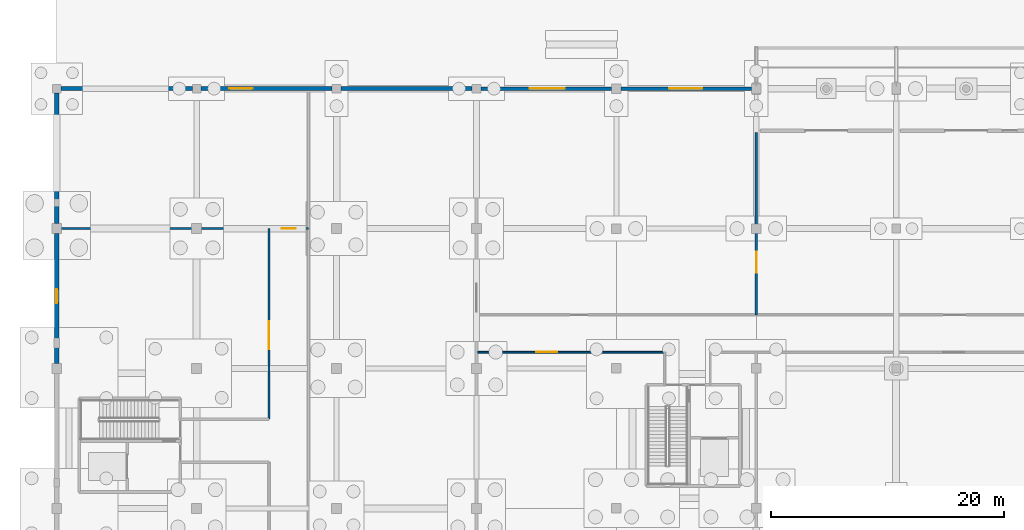
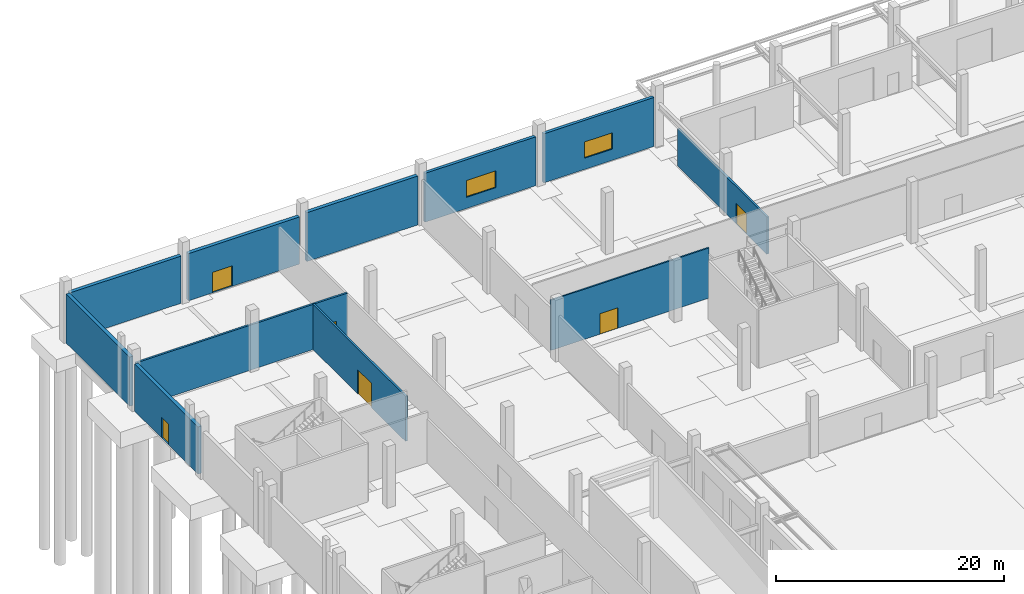
# One storey, part 94 of 117: 11 walls, 6 doors, 2 windows, 8 openings.
"""IFC4 building model written with IfcOpenShell, lengths in metres."""

from ifc_helpers import new_model, si_unit, direction, frame, frame_2d, origin, place, context, subcontext, project, spatial, rectangle, extrude, material, layer, layer_set, type_object, element, fill, save


model = new_model("IFC4")

# Units and contexts
model_context = context("Model", 3, precision=1e-05, world=origin(), true_north=direction((0.0, 1.0)))
body_context = subcontext(model_context, "Body", "Model", "MODEL_VIEW")
ifc_project = project(units=[si_unit("LENGTHUNIT", "METRE"), si_unit("AREAUNIT", "SQUARE_METRE"), si_unit("VOLUMEUNIT", "CUBIC_METRE"), si_unit("PLANEANGLEUNIT", "RADIAN"), si_unit("MASSUNIT", "GRAM", prefix="KILO")], contexts=[model_context])

# Site, building, storey
site_placement = place(None, origin())
site = spatial("IfcSite", under=ifc_project, at=site_placement, CompositionType="ELEMENT")
building_placement = place(site_placement, origin())
building = spatial("IfcBuilding", under=site, at=building_placement, Name="Kamomehara Wholesale Market", CompositionType="ELEMENT")
storey_placement = place(building_placement, origin())
storey = spatial("IfcBuildingStorey", under=building, at=storey_placement, Name="L00", CompositionType="ELEMENT", Elevation=0.0)

# Wall, opening, door
ifc_material_1 = material(Name="Polyurethane insulated metal panel")
ifc_layer_1 = layer(ifc_material_1, 0.360107421875)
ifc_layer_set_1 = layer_set([ifc_layer_1], Name="Polyurethane insulated metal panel")
wall_type_1 = type_object("IfcWallType", Name="EW-CLD-360", PredefinedType="SOLIDWALL", material=ifc_layer_set_1)
wall_1_placement = place(storey_placement, frame((0.0, 132.425048828125, 0.0), z_axis=(0.0, 0.0, 1.0), x_axis=(0.0, 1.0, 0.0)))
wall_1 = element("IfcWall", 1, at=wall_1_placement, inside=storey, type_object=wall_type_1, Name="Exterior wall EW-CLD-360 9", PredefinedType="SOLIDWALL", context=body_context, shape_type="SweptSolid", body=[
    extrude(rectangle(XDim=11.14990234375, YDim=0.360107421875, at=frame_2d((5.574951171875, 0.0))), origin(), (0.0, 0.0, 1.0), 5.048095703125),
])
opening_1_placement = place(wall_1_placement, frame((5.175048828125, 0.0, 0.0)))
opening_1 = element("IfcOpeningElement", 2, at=opening_1_placement, cuts=wall_1, Name="Opening ED-L00-02", PredefinedType="OPENING", context=body_context, shape_type="SweptSolid", body=[
    extrude(rectangle(XDim=1.199951171875, YDim=2.199951171875, at=frame_2d((0.60009765625, 1.10009765625))), frame((0.0, 0.19482421875, 0.0), z_axis=(0.0, -1.0, 0.0), x_axis=(1.0, 0.0, 0.0)), (0.0, 0.0, 1.0), 0.389892578125),
])
ifc_material_2 = material(Name="Steel SN400B", Category="steel")
door_type_1 = type_object("IfcDoorType", Name="EDR-1200x2200", OperationType="NOTDEFINED", PredefinedType="DOOR", material=ifc_material_2)
door_1_placement = place(opening_1_placement, origin())
door_1 = element("IfcDoor", 3, at=door_1_placement, inside=storey, type_object=door_type_1, Name="Cold block exit door ED-L00-02", OperationType="SINGLE_SWING_LEFT", OverallHeight=2.199951171875, OverallWidth=1.199951171875, PredefinedType="DOOR", context=body_context, shape_type="SweptSolid", body=[
    extrude(rectangle(XDim=1.199951171875, YDim=2.199951171875, at=frame_2d((0.60009765625, 1.10009765625))), frame((0.0, 0.02490234375, 0.0), z_axis=(0.0, -1.0, 0.0), x_axis=(1.0, 0.0, 0.0)), (0.0, 0.0, 1.0), 0.050048828125),
])
fill(opening_1, door_1)

# Walls
wall_2_placement = place(storey_placement, frame((0.0, 144.425048828125, 0.0), z_axis=(0.0, 0.0, 1.0), x_axis=(0.0, 1.0, 0.0)))
element("IfcWall", 4, at=wall_2_placement, inside=storey, type_object=wall_type_1, Name="Exterior wall EW-CLD-360 10", PredefinedType="SOLIDWALL", context=body_context, shape_type="SweptSolid", body=[
    extrude(rectangle(XDim=11.199951171875, YDim=0.360107421875, at=frame_2d((5.60009765625, 0.0))), origin(), (0.0, 0.0, 1.0), 5.258056640625),
])
wall_3_placement = place(storey_placement, frame((0.375, 156.0, 0.0), z_axis=(0.0, 0.0, 1.0), x_axis=(1.0, 0.0, 0.0)))
element("IfcWall", 5, at=wall_3_placement, inside=storey, type_object=wall_type_1, Name="Exterior wall EW-CLD-360 11", PredefinedType="SOLIDWALL", context=body_context, shape_type="SweptSolid", body=[
    extrude(rectangle(XDim=11.25, YDim=0.360107421875, at=frame_2d((5.625, 0.0))), origin(), (0.0, 0.0, 1.0), 5.05810546875),
])

# Wall, opening, door
wall_4_placement = place(storey_placement, frame((12.375, 156.0, 0.0), z_axis=(0.0, 0.0, 1.0), x_axis=(1.0, 0.0, 0.0)))
wall_4 = element("IfcWall", 6, at=wall_4_placement, inside=storey, type_object=wall_type_1, Name="Exterior wall EW-CLD-360 13", PredefinedType="SOLIDWALL", context=body_context, shape_type="SweptSolid", body=[
    extrude(rectangle(XDim=11.25, YDim=0.360107421875, at=frame_2d((5.625, 0.0))), origin(), (0.0, 0.0, 1.0), 5.05810546875),
])
opening_2_placement = place(wall_4_placement, frame((2.425048828125, 0.0, 0.0)))
opening_2 = element("IfcOpeningElement", 7, at=opening_2_placement, cuts=wall_4, Name="Opening ED-L00-03", PredefinedType="OPENING", context=body_context, shape_type="SweptSolid", body=[
    extrude(rectangle(XDim=2.0, YDim=2.199951171875, at=frame_2d((1.0, 1.10009765625))), frame((0.0, 0.19482421875, 0.0), z_axis=(0.0, -1.0, 0.0), x_axis=(1.0, 0.0, 0.0)), (0.0, 0.0, 1.0), 0.389892578125),
])
ifc_material_3 = material(Name="Anodised aluminium 6063-T5", Category="aluminium")
door_type_2 = type_object("IfcDoorType", Name="EDR-2000x2200", OperationType="NOTDEFINED", PredefinedType="DOOR", material=ifc_material_3)
door_2_placement = place(opening_2_placement, origin())
door_2 = element("IfcDoor", 8, at=door_2_placement, inside=storey, type_object=door_type_2, Name="Plant exit door ED-L00-03", OperationType="SINGLE_SWING_RIGHT", OverallHeight=2.199951171875, OverallWidth=2.0, PredefinedType="DOOR", context=body_context, shape_type="SweptSolid", body=[
    extrude(rectangle(XDim=2.0, YDim=2.199951171875, at=frame_2d((1.0, 1.10009765625))), frame((0.0, 0.02490234375, 0.0), z_axis=(0.0, -1.0, 0.0), x_axis=(1.0, 0.0, 0.0)), (0.0, 0.0, 1.0), 0.050048828125),
])
fill(opening_2, door_2)

# Wall
wall_5_placement = place(storey_placement, frame((24.375, 156.0, 0.0), z_axis=(0.0, 0.0, 1.0), x_axis=(1.0, 0.0, 0.0)))
element("IfcWall", 9, at=wall_5_placement, inside=storey, type_object=wall_type_1, Name="Exterior wall EW-CLD-360 15", PredefinedType="SOLIDWALL", context=body_context, shape_type="SweptSolid", body=[
    extrude(rectangle(XDim=11.25, YDim=0.360107421875, at=frame_2d((5.625, 0.0))), origin(), (0.0, 0.0, 1.0), 5.238037109375),
])

# Wall, opening, window
ifc_material_4 = material(Name="Precast concrete Fc45 (C40/50)", Category="concrete")
ifc_layer_2 = layer(ifc_material_4, 0.300048828125)
ifc_layer_set_2 = layer_set([ifc_layer_2], Name="Precast concrete Fc45 (C40/50)")
wall_type_2 = type_object("IfcWallType", Name="EW-PC-300", PredefinedType="SOLIDWALL", material=ifc_layer_set_2)
wall_6_placement = place(storey_placement, frame((36.375, 156.0, 0.0), z_axis=(0.0, 0.0, 1.0), x_axis=(1.0, 0.0, 0.0)))
wall_6 = element("IfcWall", 10, at=wall_6_placement, inside=storey, type_object=wall_type_2, Name="Exterior wall EW-PC-300 68", PredefinedType="SOLIDWALL", context=body_context, shape_type="SweptSolid", body=[
    extrude(rectangle(XDim=11.215087890625, YDim=0.300048828125, at=frame_2d((5.607421875, 0.0))), origin(), (0.0, 0.0, 1.0), 5.238037109375),
])
opening_3_placement = place(wall_6_placement, frame((4.175048828125, 0.0, 1.199951171875)))
opening_3 = element("IfcOpeningElement", 11, at=opening_3_placement, cuts=wall_6, Name="Opening WN-L00-007", PredefinedType="OPENING", context=body_context, shape_type="SweptSolid", body=[
    extrude(rectangle(XDim=3.0, YDim=1.800048828125, at=frame_2d((1.5, 0.89990234375))), frame((0.0, 0.1650390625, 0.0), z_axis=(0.0, -1.0, 0.0), x_axis=(1.0, 0.0, 0.0)), (0.0, 0.0, 1.0), 0.329833984375),
])
ifc_material_5 = material(Name="Solar-control Low-E double glazing", Category="glass")
window_type_1 = type_object("IfcWindowType", Name="WIN-3000x1800", PartitioningType="SINGLE_PANEL", PredefinedType="WINDOW", material=ifc_material_5)
window_1_placement = place(opening_3_placement, origin())
window_1 = element("IfcWindow", 12, at=window_1_placement, inside=storey, type_object=window_type_1, Name="Exterior window WN-L00-007", OverallHeight=1.800048828125, OverallWidth=3.0, PartitioningType="SINGLE_PANEL", PredefinedType="WINDOW", context=body_context, shape_type="SweptSolid", body=[
    extrude(rectangle(XDim=3.0, YDim=1.800048828125, at=frame_2d((1.5, 0.89990234375))), frame((0.0, 0.030029296875, 0.0), z_axis=(0.0, -1.0, 0.0), x_axis=(1.0, 0.0, 0.0)), (0.0, 0.0, 1.0), 0.06005859375),
])
fill(opening_3, window_1)

wall_7_placement = place(storey_placement, frame((48.409912109375, 156.0, 0.0), z_axis=(0.0, 0.0, 1.0), x_axis=(1.0, 0.0, 0.0)))
wall_7 = element("IfcWall", 13, at=wall_7_placement, inside=storey, type_object=wall_type_2, Name="Exterior wall EW-PC-300 69", PredefinedType="SOLIDWALL", context=body_context, shape_type="SweptSolid", body=[
    extrude(rectangle(XDim=11.18017578125, YDim=0.300048828125, at=frame_2d((5.590087890625, 0.0))), origin(), (0.0, 0.0, 1.0), 5.258056640625),
])
opening_4_placement = place(wall_7_placement, frame((4.139892578125, 0.0, 1.199951171875)))
opening_4 = element("IfcOpeningElement", 14, at=opening_4_placement, cuts=wall_7, Name="Opening WN-L00-008", PredefinedType="OPENING", context=body_context, shape_type="SweptSolid", body=[
    extrude(rectangle(XDim=2.800048828125, YDim=1.75, at=frame_2d((1.39990234375, 0.875))), frame((0.0, 0.1650390625, 0.0), z_axis=(0.0, -1.0, 0.0), x_axis=(1.0, 0.0, 0.0)), (0.0, 0.0, 1.0), 0.329833984375),
])
ifc_material_6 = material(Name="Solar-control Low-E double glazing", Category="glass")
window_type_2 = type_object("IfcWindowType", Name="WIN-2800x1750", PartitioningType="SINGLE_PANEL", PredefinedType="WINDOW", material=ifc_material_6)
window_2_placement = place(opening_4_placement, origin())
window_2 = element("IfcWindow", 15, at=window_2_placement, inside=storey, type_object=window_type_2, Name="Exterior window WN-L00-008", OverallHeight=1.75, OverallWidth=2.800048828125, PartitioningType="SINGLE_PANEL", PredefinedType="WINDOW", context=body_context, shape_type="SweptSolid", body=[
    extrude(rectangle(XDim=2.800048828125, YDim=1.75, at=frame_2d((1.39990234375, 0.875))), frame((0.0, 0.030029296875, 0.0), z_axis=(0.0, -1.0, 0.0), x_axis=(1.0, 0.0, 0.0)), (0.0, 0.0, 1.0), 0.06005859375),
])
fill(opening_4, window_2)

# Wall, opening, door
ifc_material_7 = material(Name="Gypsum board partition")
ifc_layer_3 = layer(ifc_material_7, 0.14990234375)
ifc_layer_set_3 = layer_set([ifc_layer_3], Name="Gypsum board partition")
wall_type_3 = type_object("IfcWallType", Name="IW-PRT-150", PredefinedType="PARTITIONING", material=ifc_layer_set_3)
wall_8_placement = place(storey_placement, frame((36.1201171875, 133.39990234375, 0.0), z_axis=(0.0, 0.0, 1.0), x_axis=(1.0, 0.0, 0.0)))
wall_8 = element("IfcWall", 16, at=wall_8_placement, inside=storey, type_object=wall_type_3, Name="Interior wall IW-PRT-150 196", PredefinedType="PARTITIONING", context=body_context, shape_type="SweptSolid", body=[
    extrude(rectangle(XDim=16.02978515625, YDim=0.14990234375, at=frame_2d((8.014892578125, 0.0))), origin(), (0.0, 0.0, 1.0), 5.383056640625),
])
opening_5_placement = place(wall_8_placement, frame((5.0, 0.0, 0.0)))
opening_5 = element("IfcOpeningElement", 17, at=opening_5_placement, cuts=wall_8, Name="Opening ID-L00-115", PredefinedType="OPENING", context=body_context, shape_type="SweptSolid", body=[
    extrude(rectangle(XDim=1.800048828125, YDim=2.199951171875, at=frame_2d((0.89990234375, 1.10009765625))), frame((0.0, 0.08984375, 0.0), z_axis=(0.0, -1.0, 0.0), x_axis=(1.0, 0.0, 0.0)), (0.0, 0.0, 1.0), 0.1796875),
])
ifc_material_8 = material(Name="Steel SN400B", Category="steel")
door_type_3 = type_object("IfcDoorType", Name="IDR-FD-1800x2200", OperationType="NOTDEFINED", PredefinedType="DOOR", material=ifc_material_8)
door_3_placement = place(opening_5_placement, origin())
door_3 = element("IfcDoor", 18, at=door_3_placement, inside=storey, type_object=door_type_3, Name="Interior door ID-L00-115", OperationType="SINGLE_SWING_LEFT", OverallHeight=2.199951171875, OverallWidth=1.800048828125, PredefinedType="DOOR", context=body_context, shape_type="SweptSolid", body=[
    extrude(rectangle(XDim=1.800048828125, YDim=2.199951171875, at=frame_2d((0.89990234375, 1.10009765625))), frame((0.0, 0.02490234375, 0.0), z_axis=(0.0, -1.0, 0.0), x_axis=(1.0, 0.0, 0.0)), (0.0, 0.0, 1.0), 0.050048828125),
])
fill(opening_5, door_3)

ifc_material_9 = material(Name="Gypsum board partition")
ifc_layer_4 = layer(ifc_material_9, 0.199951171875)
ifc_layer_set_4 = layer_set([ifc_layer_4], Name="Gypsum board partition")
wall_type_4 = type_object("IfcWallType", Name="IW-PRT-200", PredefinedType="PARTITIONING", material=ifc_layer_set_4)
wall_9_placement = place(storey_placement, frame((60.0, 136.60009765625, 0.0), z_axis=(0.0, 0.0, 1.0), x_axis=(0.0, 1.0, 0.0)))
wall_9 = element("IfcWall", 19, at=wall_9_placement, inside=storey, type_object=wall_type_4, Name="Interior wall IW-PRT-200 195", PredefinedType="PARTITIONING", context=body_context, shape_type="SweptSolid", body=[
    extrude(rectangle(XDim=15.64990234375, YDim=0.199951171875, at=frame_2d((7.824951171875, 0.0))), origin(), (0.0, 0.0, 1.0), 3.992919921875),
])
opening_6_placement = place(wall_9_placement, frame((3.60009765625, 0.0, 0.0)))
opening_6 = element("IfcOpeningElement", 20, at=opening_6_placement, cuts=wall_9, Name="Opening ID-L00-114", PredefinedType="OPENING", context=body_context, shape_type="SweptSolid", body=[
    extrude(rectangle(XDim=1.800048828125, YDim=2.199951171875, at=frame_2d((0.89990234375, 1.10009765625))), frame((0.0, 0.11474609375, 0.0), z_axis=(0.0, -1.0, 0.0), x_axis=(1.0, 0.0, 0.0)), (0.0, 0.0, 1.0), 0.229736328125),
])
door_4_placement = place(opening_6_placement, origin())
door_4 = element("IfcDoor", 21, at=door_4_placement, inside=storey, type_object=door_type_3, Name="Interior door ID-L00-114", OperationType="SINGLE_SWING_RIGHT", OverallHeight=2.199951171875, OverallWidth=1.800048828125, PredefinedType="DOOR", context=body_context, shape_type="SweptSolid", body=[
    extrude(rectangle(XDim=1.800048828125, YDim=2.199951171875, at=frame_2d((0.89990234375, 1.10009765625))), frame((0.0, 0.02490234375, 0.0), z_axis=(0.0, -1.0, 0.0), x_axis=(1.0, 0.0, 0.0)), (0.0, 0.0, 1.0), 0.050048828125),
])
fill(opening_6, door_4)

wall_10_placement = place(storey_placement, frame((18.199951171875, 127.64990234375, 0.0), z_axis=(0.0, 0.0, 1.0), x_axis=(0.0, 1.0, 0.0)))
wall_10 = element("IfcWall", 22, at=wall_10_placement, inside=storey, type_object=wall_type_4, Name="Interior wall IW-PRT-200 236", PredefinedType="PARTITIONING", context=body_context, shape_type="SweptSolid", body=[
    extrude(rectangle(XDim=16.35009765625, YDim=0.199951171875, at=frame_2d((8.175048828125, 0.0))), origin(), (0.0, 0.0, 1.0), 4.8330078125),
])
opening_7_placement = place(wall_10_placement, frame((6.0, 0.0, 0.0)))
opening_7 = element("IfcOpeningElement", 23, at=opening_7_placement, cuts=wall_10, Name="Opening ID-L00-142", PredefinedType="OPENING", context=body_context, shape_type="SweptSolid", body=[
    extrude(rectangle(XDim=2.39990234375, YDim=2.60009765625, at=frame_2d((1.199951171875, 1.300048828125))), frame((0.0, 0.11474609375, 0.0), z_axis=(0.0, -1.0, 0.0), x_axis=(1.0, 0.0, 0.0)), (0.0, 0.0, 1.0), 0.229736328125),
])
ifc_material_10 = material(Name="Steel SN400B", Category="steel")
door_type_4 = type_object("IfcDoorType", Name="IDR-CL-2400x2600", OperationType="NOTDEFINED", PredefinedType="DOOR", material=ifc_material_10)
door_5_placement = place(opening_7_placement, origin())
door_5 = element("IfcDoor", 24, at=door_5_placement, inside=storey, type_object=door_type_4, Name="Interior door ID-L00-142", OperationType="SINGLE_SWING_RIGHT", OverallHeight=2.60009765625, OverallWidth=2.39990234375, PredefinedType="DOOR", context=body_context, shape_type="SweptSolid", body=[
    extrude(rectangle(XDim=2.39990234375, YDim=2.60009765625, at=frame_2d((1.199951171875, 1.300048828125))), frame((0.0, 0.02490234375, 0.0), z_axis=(0.0, -1.0, 0.0), x_axis=(1.0, 0.0, 0.0)), (0.0, 0.0, 1.0), 0.050048828125),
])
fill(opening_7, door_5)

wall_11_placement = place(storey_placement, frame((0.179931640625, 144.0, 0.0), z_axis=(0.0, 0.0, 1.0), x_axis=(1.0, 0.0, 0.0)))
wall_11 = element("IfcWall", 25, at=wall_11_placement, inside=storey, type_object=wall_type_4, Name="Interior wall IW-PRT-200 238", PredefinedType="PARTITIONING", context=body_context, shape_type="SweptSolid", body=[
    extrude(rectangle(XDim=21.420166015625, YDim=0.199951171875, at=frame_2d((10.7099609375, 0.0))), origin(), (0.0, 0.0, 1.0), 4.8330078125),
])
opening_8_placement = place(wall_11_placement, frame((19.10009765625, 0.0, 0.0)))
opening_8 = element("IfcOpeningElement", 26, at=opening_8_placement, cuts=wall_11, Name="Opening ID-L00-143", PredefinedType="OPENING", context=body_context, shape_type="SweptSolid", body=[
    extrude(rectangle(XDim=1.199951171875, YDim=2.199951171875, at=frame_2d((0.60009765625, 1.10009765625))), frame((0.0, 0.11474609375, 0.0), z_axis=(0.0, -1.0, 0.0), x_axis=(1.0, 0.0, 0.0)), (0.0, 0.0, 1.0), 0.229736328125),
])
ifc_material_11 = material(Name="Steel SN400B", Category="steel")
door_type_5 = type_object("IfcDoorType", Name="IDR-FD-1200x2200", OperationType="NOTDEFINED", PredefinedType="DOOR", material=ifc_material_11)
door_6_placement = place(opening_8_placement, origin())
door_6 = element("IfcDoor", 27, at=door_6_placement, inside=storey, type_object=door_type_5, Name="Interior door ID-L00-143", OperationType="SINGLE_SWING_LEFT", OverallHeight=2.199951171875, OverallWidth=1.199951171875, PredefinedType="DOOR", context=body_context, shape_type="SweptSolid", body=[
    extrude(rectangle(XDim=1.199951171875, YDim=2.199951171875, at=frame_2d((0.60009765625, 1.10009765625))), frame((0.0, 0.02490234375, 0.0), z_axis=(0.0, -1.0, 0.0), x_axis=(1.0, 0.0, 0.0)), (0.0, 0.0, 1.0), 0.050048828125),
])
fill(opening_8, door_6)

save(model, "model.ifc")
